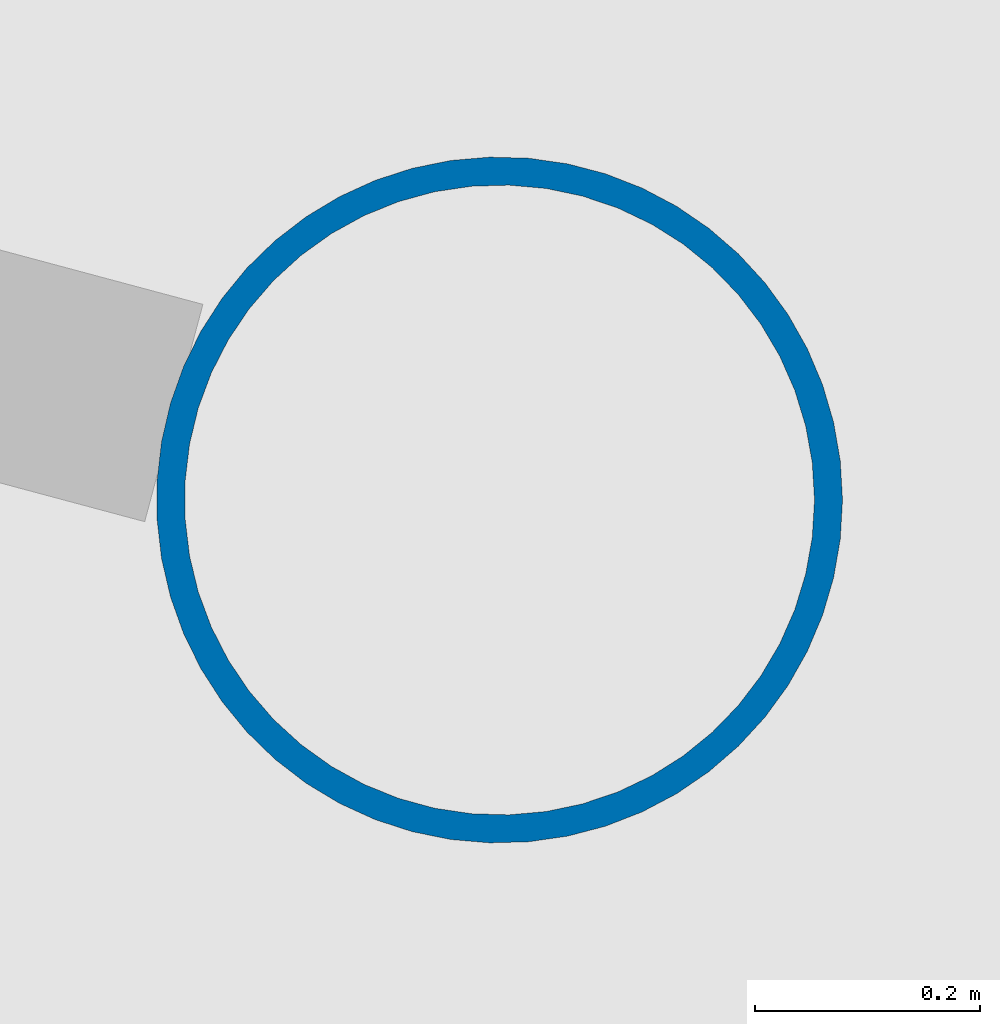
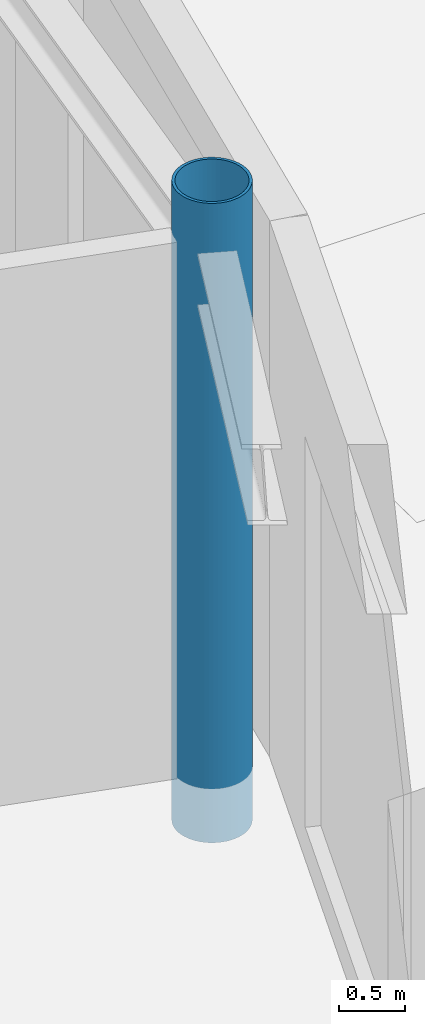
# One storey, part 6 of 41: 1 column.
"""IFC4 building model written with IfcOpenShell, lengths in metres."""

from ifc_helpers import new_model, si_unit, direction, frame, origin, origin_2d, place, context, subcontext, project, spatial, hollow_circle, extrude, material, material_profile, profile_set, type_object, element, save


model = new_model("IFC4")

# Units and contexts
model_context = context("Model", 3, precision=1e-05, world=origin(), true_north=direction((0.0, 1.0)))
body_context = subcontext(model_context, "Body", "Model", "MODEL_VIEW")
ifc_project = project(units=[si_unit("LENGTHUNIT", "METRE"), si_unit("AREAUNIT", "SQUARE_METRE"), si_unit("VOLUMEUNIT", "CUBIC_METRE"), si_unit("PLANEANGLEUNIT", "RADIAN"), si_unit("MASSUNIT", "GRAM", prefix="KILO")], contexts=[model_context])

# Site, building, storey
site_placement = place(None, origin())
site = spatial("IfcSite", under=ifc_project, at=site_placement, CompositionType="ELEMENT")
building_placement = place(site_placement, origin())
building = spatial("IfcBuilding", under=site, at=building_placement, Name="Maasbend Ring Residences", CompositionType="ELEMENT")
storey_placement = place(building_placement, origin())
storey = spatial("IfcBuildingStorey", under=building, at=storey_placement, Name="L00", CompositionType="ELEMENT", Elevation=0.0)

# Column
ifc_material = material(Name="Composite concrete-filled steel tube S460NH / C80/95", Category="concrete")
ifc_material_profile = material_profile(ifc_material, hollow_circle(Radius=0.304931640625, WallThickness=0.02490234375, at=origin_2d()), Name="Composite tube column CHS 610x25")
ifc_profile_set = profile_set([ifc_material_profile], Name="Composite concrete-filled steel tube S460NH / C80/95")
column_type = type_object("IfcColumnType", Name="Composite tube column CHS 610x25", PredefinedType="COLUMN", material=ifc_profile_set)
column_placement = place(storey_placement, frame((43.659912109375, -11.698486328125, -0.5), z_axis=(0.0, 0.0, 1.0), x_axis=(1.0, 0.0, 0.0)))
element("IfcColumn", 1, at=column_placement, inside=storey, type_object=column_type, Name="Deck edge column B24", PredefinedType="COLUMN", context=body_context, shape_type="SweptSolid", body=[
    extrude(hollow_circle(Radius=0.304931640625, WallThickness=0.02490234375, at=origin_2d()), origin(), (0.0, 0.0, 1.0), 5.89990234375),
])

save(model, "model.ifc")
